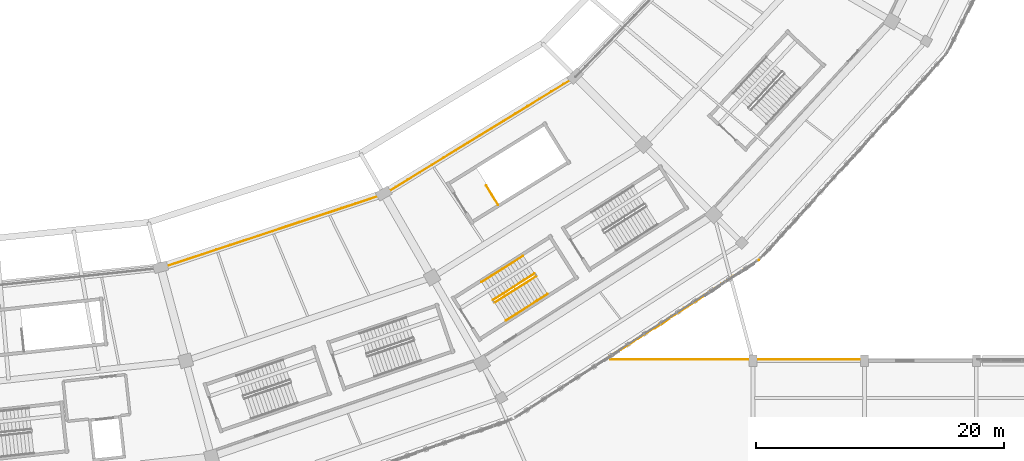
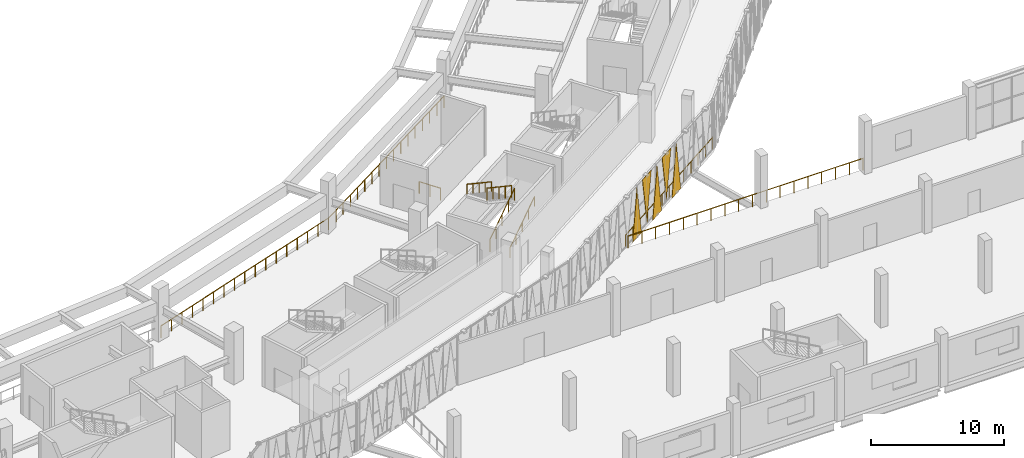
# One storey, part 145 of 179: 9 railings, 5 coverings.
"""IFC4 building model written with IfcOpenShell, lengths in metres."""

from ifc_helpers import new_model, si_unit, direction, frame, origin, origin_2d, place, context, subcontext, project, spatial, polyline, circle, outline, extrude, material, layer, layer_set, type_object, element, save


model = new_model("IFC4")

# Units and contexts
model_context = context("Model", 3, precision=1e-05, world=origin(), true_north=direction((0.0, 1.0)))
body_context = subcontext(model_context, "Body", "Model", "MODEL_VIEW")
ifc_project = project(units=[si_unit("LENGTHUNIT", "METRE"), si_unit("AREAUNIT", "SQUARE_METRE"), si_unit("VOLUMEUNIT", "CUBIC_METRE"), si_unit("PLANEANGLEUNIT", "RADIAN"), si_unit("MASSUNIT", "GRAM", prefix="KILO")], contexts=[model_context])

# Site, building, storey
site_placement = place(None, origin())
site = spatial("IfcSite", under=ifc_project, at=site_placement, CompositionType="ELEMENT")
building_placement = place(site_placement, origin())
building = spatial("IfcBuilding", under=site, at=building_placement, Name="Zevraka Park Crest Stadium", CompositionType="ELEMENT")
storey_placement = place(building_placement, frame((0.0, 0.0, 10.199951171875)))
storey = spatial("IfcBuildingStorey", under=building, at=storey_placement, Name="L02", CompositionType="ELEMENT", Elevation=10.199951171875)

# Coverings
ifc_material_1 = material(Name="Architectural golden-bronze perforated aluminium", Category="aluminium")
ifc_layer = layer(ifc_material_1, 0.034912109375)
ifc_layer_set = layer_set([ifc_layer], Name="Architectural golden-bronze perforated aluminium")
covering_type = type_object("IfcCoveringType", Name="CLD01", PredefinedType="CLADDING", material=ifc_layer_set)
covering_1_placement = place(storey_placement, frame((168.347900390625, 27.845947265625, -0.239990234375), z_axis=(0.543209619056, -0.839597111575, 0.0), x_axis=(0.839597111575, 0.543209619056, 0.0)))
element("IfcCovering", 1, at=covering_1_placement, inside=storey, type_object=covering_type, Name="Triangular Golden-Bronze Perforated Cladding L02-20-7", PredefinedType="CLADDING", context=body_context, shape_type="SweptSolid", body=[
    extrude(outline(polyline([(0.0, 0.0), (1.4579863089976983, 0.0), (0.7289931544988492, 4.56005859375), (0.0, 0.0)])), origin(), (0.0, 0.0, -1.0), 0.034912109375),
])
covering_2_placement = place(storey_placement, frame((170.930908203125, 29.51708984375, 4.47998046875), z_axis=(0.543285997868, -0.839547690294, 1.5567826e-05), x_axis=(-0.839547690396, -0.543285997934, 0.0)))
element("IfcCovering", 2, at=covering_2_placement, inside=storey, type_object=covering_type, Name="Triangular Golden-Bronze Perforated Cladding L02-20-8", PredefinedType="CLADDING", context=body_context, shape_type="SweptSolid", body=[
    extrude(outline(polyline([(0.0, 0.0), (1.457781335266565, 1.6940658945086007e-21), (0.7287881837843572, 4.260009766141223), (0.0, 0.0)])), origin(), (0.0, 0.0, -1.0), 0.034912109375),
])
covering_3_placement = place(storey_placement, frame((171.06494140625, 29.60400390625, -0.239990234375), z_axis=(-0.54290427239, 0.839794586576, 5.813302e-05), x_axis=(0.839794587995, 0.542904273307, 0.0)))
element("IfcCovering", 3, at=covering_3_placement, inside=storey, type_object=covering_type, Name="Triangular Golden-Bronze Perforated Cladding L02-20-9", PredefinedType="CLADDING", context=body_context, shape_type="SweptSolid", body=[
    extrude(outline(polyline([(0.0, 0.0), (1.458806324503112, 0.0), (0.729813218202725, -4.56005860145524), (0.0, 0.0)])), origin(), (0.0, 0.0, -1.0), 0.034912109375),
])
covering_4_placement = place(storey_placement, frame((173.64892578125, 31.27490234375, 4.47998046875), z_axis=(0.542980582644, -0.839745247572, 7.7795373e-05), x_axis=(-0.839745250113, -0.542980584287, 0.0)))
element("IfcCovering", 4, at=covering_4_placement, inside=storey, type_object=covering_type, Name="Triangular Golden-Bronze Perforated Cladding L02-20-10", PredefinedType="CLADDING", context=body_context, shape_type="SweptSolid", body=[
    extrude(outline(polyline([(0.0, 0.0), (1.4586013025497944, -6.776263578034403e-21), (0.7287881114493888, 4.260009778516046), (0.0, 0.0)])), origin(), (0.0, 0.0, -1.0), 0.034912109375),
])
covering_5_placement = place(storey_placement, frame((173.782958984375, 31.362060546875, -0.239990234375), z_axis=(0.54290427239, -0.839794586576, 5.813302e-05), x_axis=(0.839794587995, 0.542904273307, 0.0)))
element("IfcCovering", 5, at=covering_5_placement, inside=storey, type_object=covering_type, Name="Triangular Golden-Bronze Perforated Cladding L02-20-11", PredefinedType="CLADDING", context=body_context, shape_type="SweptSolid", body=[
    extrude(outline(polyline([(0.0, 0.0), (1.458806324503112, 0.0), (0.7289931063003867, 4.56005860145524), (0.0, 0.0)])), origin(), (0.0, 0.0, -1.0), 0.034912109375),
])

# Railings
ifc_material_2 = material(Name="Galvanised and bronze-finished steel balustrade", Category="steel")
railing_type_1 = type_object("IfcRailingType", Name="GR01", PredefinedType="GUARDRAIL", material=ifc_material_2)
railing_1_placement = place(storey_placement, frame((179.48291015625, 35.132080078125, 0.0)))
element("IfcRailing", 6, at=railing_1_placement, inside=storey, type_object=railing_type_1, Name="Deck Edge Protection Guardrail GR01 L02-25", PredefinedType="GUARDRAIL", context=body_context, shape_type="SweptSolid", body=[
    extrude(circle(Radius=0.02392578125, at=origin_2d()), frame((0.0, 0.0, 1.076171875), z_axis=(-0.839645521014, -0.543134789017, 0.0), x_axis=(0.543134789017, -0.839645521014, 0.0)), (0.0, 0.0, 1.0), 14.339111328125),
    extrude(circle(Radius=0.02099609375, at=origin_2d()), origin(), (0.0, 0.0, 1.0), 1.052001953125),
    extrude(circle(Radius=0.02099609375, at=origin_2d()), frame((-1.00341796875, -0.64892578125, 0.0)), (0.0, 0.0, 1.0), 1.052001953125),
    extrude(circle(Radius=0.02099609375, at=origin_2d()), frame((-2.006591796875, -1.298095703125, 0.0)), (0.0, 0.0, 1.0), 1.052001953125),
    extrude(circle(Radius=0.02099609375, at=origin_2d()), frame((-3.010009765625, -1.947021484375, 0.0)), (0.0, 0.0, 1.0), 1.052001953125),
    extrude(circle(Radius=0.02099609375, at=origin_2d()), frame((-4.01318359375, -2.595947265625, 0.0)), (0.0, 0.0, 1.0), 1.052001953125),
    extrude(circle(Radius=0.02099609375, at=origin_2d()), frame((-5.0166015625, -3.2451171875, 0.0)), (0.0, 0.0, 1.0), 1.052001953125),
    extrude(circle(Radius=0.02099609375, at=origin_2d()), frame((-6.02001953125, -3.89404296875, 0.0)), (0.0, 0.0, 1.0), 1.052001953125),
    extrude(circle(Radius=0.02099609375, at=origin_2d()), frame((-7.023193359375, -4.54296875, 0.0)), (0.0, 0.0, 1.0), 1.052001953125),
    extrude(circle(Radius=0.02099609375, at=origin_2d()), frame((-8.026611328125, -5.192138671875, 0.0)), (0.0, 0.0, 1.0), 1.052001953125),
    extrude(circle(Radius=0.02099609375, at=origin_2d()), frame((-9.02978515625, -5.841064453125, 0.0)), (0.0, 0.0, 1.0), 1.052001953125),
    extrude(circle(Radius=0.02099609375, at=origin_2d()), frame((-10.033203125, -6.489990234375, 0.0)), (0.0, 0.0, 1.0), 1.052001953125),
    extrude(circle(Radius=0.02099609375, at=origin_2d()), frame((-11.036376953125, -7.13916015625, 0.0)), (0.0, 0.0, 1.0), 1.052001953125),
    extrude(circle(Radius=0.02099609375, at=origin_2d()), frame((-12.039794921875, -7.7880859375, 0.0)), (0.0, 0.0, 1.0), 1.052001953125),
])
railing_2_placement = place(storey_placement, frame((167.513916015625, 27.10498046875, 0.0)))
element("IfcRailing", 7, at=railing_2_placement, inside=storey, type_object=railing_type_1, Name="Deck Edge Protection Guardrail GR01 L02-26", PredefinedType="GUARDRAIL", context=body_context, shape_type="SweptSolid", body=[
    extrude(circle(Radius=0.02392578125, at=origin_2d()), frame((0.0, 0.0, 1.076171875), z_axis=(1.0, 0.0, 0.0), x_axis=(0.0, 1.0, 0.0)), (0.0, 0.0, 1.0), 20.3701171875),
    extrude(circle(Radius=0.02099609375, at=origin_2d()), origin(), (0.0, 0.0, 1.0), 1.052001953125),
    extrude(circle(Radius=0.02099609375, at=origin_2d()), frame((1.1982421875, 0.0, 0.0)), (0.0, 0.0, 1.0), 1.052001953125),
    extrude(circle(Radius=0.02099609375, at=origin_2d()), frame((2.396484375, 0.0, 0.0)), (0.0, 0.0, 1.0), 1.052001953125),
    extrude(circle(Radius=0.02099609375, at=origin_2d()), frame((3.5947265625, 0.0, 0.0)), (0.0, 0.0, 1.0), 1.052001953125),
    extrude(circle(Radius=0.02099609375, at=origin_2d()), frame((4.79296875, 0.0, 0.0)), (0.0, 0.0, 1.0), 1.052001953125),
    extrude(circle(Radius=0.02099609375, at=origin_2d()), frame((5.9912109375, 0.0, 0.0)), (0.0, 0.0, 1.0), 1.052001953125),
    extrude(circle(Radius=0.02099609375, at=origin_2d()), frame((7.189453125, 0.0, 0.0)), (0.0, 0.0, 1.0), 1.052001953125),
    extrude(circle(Radius=0.02099609375, at=origin_2d()), frame((8.3876953125, 0.0, 0.0)), (0.0, 0.0, 1.0), 1.052001953125),
    extrude(circle(Radius=0.02099609375, at=origin_2d()), frame((9.5859375, 0.0, 0.0)), (0.0, 0.0, 1.0), 1.052001953125),
    extrude(circle(Radius=0.02099609375, at=origin_2d()), frame((10.7841796875, 0.0, 0.0)), (0.0, 0.0, 1.0), 1.052001953125),
    extrude(circle(Radius=0.02099609375, at=origin_2d()), frame((11.982421875, 0.0, 0.0)), (0.0, 0.0, 1.0), 1.052001953125),
    extrude(circle(Radius=0.02099609375, at=origin_2d()), frame((13.1806640625, 0.0, 0.0)), (0.0, 0.0, 1.0), 1.052001953125),
    extrude(circle(Radius=0.02099609375, at=origin_2d()), frame((14.37890625, 0.0, 0.0)), (0.0, 0.0, 1.0), 1.052001953125),
    extrude(circle(Radius=0.02099609375, at=origin_2d()), frame((15.5771484375, 0.0, 0.0)), (0.0, 0.0, 1.0), 1.052001953125),
    extrude(circle(Radius=0.02099609375, at=origin_2d()), frame((16.775390625, 0.0, 0.0)), (0.0, 0.0, 1.0), 1.052001953125),
    extrude(circle(Radius=0.02099609375, at=origin_2d()), frame((17.9736328125, 0.0, 0.0)), (0.0, 0.0, 1.0), 1.052001953125),
    extrude(circle(Radius=0.02099609375, at=origin_2d()), frame((19.171875, 0.0, 0.0)), (0.0, 0.0, 1.0), 1.052001953125),
    extrude(circle(Radius=0.02099609375, at=origin_2d()), frame((20.3701171875, 0.0, 0.0)), (0.0, 0.0, 1.0), 1.052001953125),
])
railing_3_placement = place(storey_placement, frame((131.29296875, 34.4580078125, 0.0)))
element("IfcRailing", 8, at=railing_3_placement, inside=storey, type_object=railing_type_1, Name="Deck Edge Protection Guardrail GR01 L02-58", PredefinedType="GUARDRAIL", context=body_context, shape_type="SweptSolid", body=[
    extrude(circle(Radius=0.02392578125, at=origin_2d()), frame((0.0, 0.0, 1.076171875), z_axis=(0.949418449388, 0.314013706645, 0.0), x_axis=(-0.314013706645, 0.949418449388, 0.0)), (0.0, 0.0, 1.0), 18.929443359375),
    extrude(circle(Radius=0.02099609375, at=origin_2d()), origin(), (0.0, 0.0, 1.0), 1.052001953125),
    extrude(circle(Radius=0.02099609375, at=origin_2d()), frame((1.123291015625, 0.37158203125, 0.0)), (0.0, 0.0, 1.0), 1.052001953125),
    extrude(circle(Radius=0.02099609375, at=origin_2d()), frame((2.24658203125, 0.742919921875, 0.0)), (0.0, 0.0, 1.0), 1.052001953125),
    extrude(circle(Radius=0.02099609375, at=origin_2d()), frame((3.36962890625, 1.114501953125, 0.0)), (0.0, 0.0, 1.0), 1.052001953125),
    extrude(circle(Radius=0.02099609375, at=origin_2d()), frame((4.492919921875, 1.486083984375, 0.0)), (0.0, 0.0, 1.0), 1.052001953125),
    extrude(circle(Radius=0.02099609375, at=origin_2d()), frame((5.6162109375, 1.857421875, 0.0)), (0.0, 0.0, 1.0), 1.052001953125),
    extrude(circle(Radius=0.02099609375, at=origin_2d()), frame((6.739501953125, 2.22900390625, 0.0)), (0.0, 0.0, 1.0), 1.052001953125),
    extrude(circle(Radius=0.02099609375, at=origin_2d()), frame((7.86279296875, 2.6005859375, 0.0)), (0.0, 0.0, 1.0), 1.052001953125),
    extrude(circle(Radius=0.02099609375, at=origin_2d()), frame((8.98583984375, 2.97216796875, 0.0)), (0.0, 0.0, 1.0), 1.052001953125),
    extrude(circle(Radius=0.02099609375, at=origin_2d()), frame((10.109130859375, 3.343505859375, 0.0)), (0.0, 0.0, 1.0), 1.052001953125),
    extrude(circle(Radius=0.02099609375, at=origin_2d()), frame((11.232421875, 3.715087890625, 0.0)), (0.0, 0.0, 1.0), 1.052001953125),
    extrude(circle(Radius=0.02099609375, at=origin_2d()), frame((12.355712890625, 4.086669921875, 0.0)), (0.0, 0.0, 1.0), 1.052001953125),
    extrude(circle(Radius=0.02099609375, at=origin_2d()), frame((13.47900390625, 4.4580078125, 0.0)), (0.0, 0.0, 1.0), 1.052001953125),
    extrude(circle(Radius=0.02099609375, at=origin_2d()), frame((14.602294921875, 4.82958984375, 0.0)), (0.0, 0.0, 1.0), 1.052001953125),
    extrude(circle(Radius=0.02099609375, at=origin_2d()), frame((15.725341796875, 5.201171875, 0.0)), (0.0, 0.0, 1.0), 1.052001953125),
    extrude(circle(Radius=0.02099609375, at=origin_2d()), frame((16.8486328125, 5.572509765625, 0.0)), (0.0, 0.0, 1.0), 1.052001953125),
    extrude(circle(Radius=0.02099609375, at=origin_2d()), frame((17.971923828125, 5.944091796875, 0.0)), (0.0, 0.0, 1.0), 1.052001953125),
])
railing_4_placement = place(storey_placement, frame((149.264892578125, 40.402099609375, 0.0)))
element("IfcRailing", 9, at=railing_4_placement, inside=storey, type_object=railing_type_1, Name="Deck Edge Protection Guardrail GR01 L02-59", PredefinedType="GUARDRAIL", context=body_context, shape_type="SweptSolid", body=[
    extrude(circle(Radius=0.02392578125, at=origin_2d()), frame((0.0, 0.0, 1.076171875), z_axis=(0.852701317634, 0.522398758521, 0.0), x_axis=(-0.522398758521, 0.852701317634, 0.0)), (0.0, 0.0, 1.0), 18.1259765625),
    extrude(circle(Radius=0.02099609375, at=origin_2d()), origin(), (0.0, 0.0, 1.0), 1.052001953125),
    extrude(circle(Radius=0.02099609375, at=origin_2d()), frame((0.966064453125, 0.591796875, 0.0)), (0.0, 0.0, 1.0), 1.052001953125),
    extrude(circle(Radius=0.02099609375, at=origin_2d()), frame((1.93212890625, 1.18359375, 0.0)), (0.0, 0.0, 1.0), 1.052001953125),
    extrude(circle(Radius=0.02099609375, at=origin_2d()), frame((2.89794921875, 1.775390625, 0.0)), (0.0, 0.0, 1.0), 1.052001953125),
    extrude(circle(Radius=0.02099609375, at=origin_2d()), frame((3.864013671875, 2.3671875, 0.0)), (0.0, 0.0, 1.0), 1.052001953125),
    extrude(circle(Radius=0.02099609375, at=origin_2d()), frame((4.830078125, 2.958984375, 0.0)), (0.0, 0.0, 1.0), 1.052001953125),
    extrude(circle(Radius=0.02099609375, at=origin_2d()), frame((5.7958984375, 3.55078125, 0.0)), (0.0, 0.0, 1.0), 1.052001953125),
    extrude(circle(Radius=0.02099609375, at=origin_2d()), frame((6.761962890625, 4.142578125, 0.0)), (0.0, 0.0, 1.0), 1.052001953125),
    extrude(circle(Radius=0.02099609375, at=origin_2d()), frame((7.72802734375, 4.734375, 0.0)), (0.0, 0.0, 1.0), 1.052001953125),
    extrude(circle(Radius=0.02099609375, at=origin_2d()), frame((8.694091796875, 5.326416015625, 0.0)), (0.0, 0.0, 1.0), 1.052001953125),
    extrude(circle(Radius=0.02099609375, at=origin_2d()), frame((9.66015625, 5.918212890625, 0.0)), (0.0, 0.0, 1.0), 1.052001953125),
    extrude(circle(Radius=0.02099609375, at=origin_2d()), frame((10.6259765625, 6.510009765625, 0.0)), (0.0, 0.0, 1.0), 1.052001953125),
    extrude(circle(Radius=0.02099609375, at=origin_2d()), frame((11.592041015625, 7.101806640625, 0.0)), (0.0, 0.0, 1.0), 1.052001953125),
    extrude(circle(Radius=0.02099609375, at=origin_2d()), frame((12.55810546875, 7.693603515625, 0.0)), (0.0, 0.0, 1.0), 1.052001953125),
    extrude(circle(Radius=0.02099609375, at=origin_2d()), frame((13.52392578125, 8.285400390625, 0.0)), (0.0, 0.0, 1.0), 1.052001953125),
    extrude(circle(Radius=0.02099609375, at=origin_2d()), frame((14.489990234375, 8.877197265625, 0.0)), (0.0, 0.0, 1.0), 1.052001953125),
    extrude(circle(Radius=0.02099609375, at=origin_2d()), frame((15.4560546875, 9.468994140625, 0.0)), (0.0, 0.0, 1.0), 1.052001953125),
])
ifc_material_3 = material(Name="Powder-coated tubular steel stairwell guard", Category="steel")
railing_type_2 = type_object("IfcRailingType", Name="GR03", PredefinedType="GUARDRAIL", material=ifc_material_3)
railing_5_placement = place(storey_placement, frame((158.194580078125, 31.675048828125, 0.17138671875)))
element("IfcRailing", 10, at=railing_5_placement, inside=storey, type_object=railing_type_2, Name="L02 ST21 stair guard 1", PredefinedType="GUARDRAIL", context=body_context, shape_type="SweptSolid", body=[
    extrude(circle(Radius=0.02392578125, at=origin_2d()), frame((0.0, 0.0, 1.076171875), z_axis=(0.7360728576, 0.466989999352, 0.490017437251), x_axis=(-0.535715535947, 0.844398522349, 0.0)), (0.0, 0.0, 1.0), 4.54833984375),
    extrude(circle(Radius=0.02099609375, at=origin_2d()), origin(), (0.0, 0.0, 1.0), 1.052001953125),
    extrude(circle(Radius=0.02099609375, at=origin_2d()), frame((0.8369140625, 0.531005859375, 0.55712890625)), (0.0, 0.0, 1.0), 1.052001953125),
    extrude(circle(Radius=0.02099609375, at=origin_2d()), frame((1.673828125, 1.06201171875, 1.1142578125)), (0.0, 0.0, 1.0), 1.052001953125),
    extrude(circle(Radius=0.02099609375, at=origin_2d()), frame((2.510986328125, 1.593017578125, 1.671630859375)), (0.0, 0.0, 1.0), 1.052001953125),
    extrude(circle(Radius=0.02099609375, at=origin_2d()), frame((3.347900390625, 2.1240234375, 2.228759765625)), (0.0, 0.0, 1.0), 1.052001953125),
])
railing_6_placement = place(storey_placement, frame((161.4033203125, 34.0185546875, 2.571533203125)))
element("IfcRailing", 11, at=railing_6_placement, inside=storey, type_object=railing_type_2, Name="L02 ST21 stair guard 3", PredefinedType="GUARDRAIL", context=body_context, shape_type="SweptSolid", body=[
    extrude(circle(Radius=0.02392578125, at=origin_2d()), frame((0.0, 0.0, 1.076171875), z_axis=(-0.736116810277, -0.466983830349, 0.48995728775), x_axis=(0.535687682518, -0.84441619288, 0.0)), (0.0, 0.0, 1.0), 4.54833984375),
    extrude(circle(Radius=0.02099609375, at=origin_2d()), origin(), (0.0, 0.0, 1.0), 1.052001953125),
    extrude(circle(Radius=0.02099609375, at=origin_2d()), frame((-0.8369140625, -0.531005859375, 0.55712890625)), (0.0, 0.0, 1.0), 1.052001953125),
    extrude(circle(Radius=0.02099609375, at=origin_2d()), frame((-1.674072265625, -1.06201171875, 1.1142578125)), (0.0, 0.0, 1.0), 1.052001953125),
    extrude(circle(Radius=0.02099609375, at=origin_2d()), frame((-2.51123046875, -1.593017578125, 1.67138671875)), (0.0, 0.0, 1.0), 1.052001953125),
    extrude(circle(Radius=0.02099609375, at=origin_2d()), frame((-3.34814453125, -2.1240234375, 2.228515625)), (0.0, 0.0, 1.0), 1.052001953125),
])
railing_7_placement = place(storey_placement, frame((158.46728515625, 39.56640625, 0.0)))
element("IfcRailing", 12, at=railing_7_placement, inside=storey, type_object=railing_type_2, Name="L02 ST43 top well guard 1", PredefinedType="GUARDRAIL", context=body_context, shape_type="SweptSolid", body=[
    extrude(circle(Radius=0.02392578125, at=origin_2d()), frame((0.0, 0.0, 1.076171875), z_axis=(-0.527231915406, 0.84972142928, 0.0), x_axis=(-0.84972142928, -0.527231915406, 0.0)), (0.0, 0.0, 1.0), 1.81005859375),
    extrude(circle(Radius=0.02099609375, at=origin_2d()), origin(), (0.0, 0.0, 1.0), 1.052001953125),
    extrude(circle(Radius=0.02099609375, at=origin_2d()), frame((-0.47705078125, 0.76904296875, 0.0)), (0.0, 0.0, 1.0), 1.052001953125),
    extrude(circle(Radius=0.02099609375, at=origin_2d()), frame((-0.954345703125, 1.5380859375, 0.0)), (0.0, 0.0, 1.0), 1.052001953125),
])
ifc_material_4 = material(Name="Brushed stainless steel continuous handrail", Category="steel")
railing_type_3 = type_object("IfcRailingType", Name="HR01", PredefinedType="HANDRAIL", material=ifc_material_4)
railing_8_placement = place(storey_placement, frame((159.105224609375, 30.239501953125, 0.17138671875)))
element("IfcRailing", 13, at=railing_8_placement, inside=storey, type_object=railing_type_3, Name="L02 ST21 stair handrail 1", PredefinedType="HANDRAIL", context=body_context, shape_type="SweptSolid", body=[
    extrude(circle(Radius=0.02392578125, at=origin_2d()), frame((0.0, 0.0, 0.8759765625), z_axis=(0.7360728576, 0.466989999352, 0.490017437251), x_axis=(-0.535715535947, 0.844398522349, 0.0)), (0.0, 0.0, 1.0), 4.54833984375),
    extrude(circle(Radius=0.02099609375, at=origin_2d()), origin(), (0.0, 0.0, 1.0), 0.851806640625),
    extrude(circle(Radius=0.02099609375, at=origin_2d()), frame((0.8369140625, 0.531005859375, 0.55712890625)), (0.0, 0.0, 1.0), 0.851806640625),
    extrude(circle(Radius=0.02099609375, at=origin_2d()), frame((1.673828125, 1.06201171875, 1.1142578125)), (0.0, 0.0, 1.0), 0.851806640625),
    extrude(circle(Radius=0.02099609375, at=origin_2d()), frame((2.510986328125, 1.593017578125, 1.671630859375)), (0.0, 0.0, 1.0), 0.851806640625),
    extrude(circle(Radius=0.02099609375, at=origin_2d()), frame((3.347900390625, 2.1240234375, 2.228759765625)), (0.0, 0.0, 1.0), 0.851806640625),
])
railing_9_placement = place(storey_placement, frame((160.492431640625, 35.4541015625, 2.571533203125)))
element("IfcRailing", 14, at=railing_9_placement, inside=storey, type_object=railing_type_3, Name="L02 ST21 stair handrail 2", PredefinedType="HANDRAIL", context=body_context, shape_type="SweptSolid", body=[
    extrude(circle(Radius=0.02392578125, at=origin_2d()), frame((0.0, 0.0, 0.8759765625), z_axis=(-0.736092217986, -0.467002282249, 0.489976647398), x_axis=(0.535715535947, -0.844398522349, 0.0)), (0.0, 0.0, 1.0), 4.548095703125),
    extrude(circle(Radius=0.02099609375, at=origin_2d()), origin(), (0.0, 0.0, 1.0), 0.851806640625),
    extrude(circle(Radius=0.02099609375, at=origin_2d()), frame((-0.8369140625, -0.531005859375, 0.55712890625)), (0.0, 0.0, 1.0), 0.851806640625),
    extrude(circle(Radius=0.02099609375, at=origin_2d()), frame((-1.673828125, -1.06201171875, 1.1142578125)), (0.0, 0.0, 1.0), 0.851806640625),
    extrude(circle(Radius=0.02099609375, at=origin_2d()), frame((-2.510986328125, -1.593017578125, 1.67138671875)), (0.0, 0.0, 1.0), 0.851806640625),
    extrude(circle(Radius=0.02099609375, at=origin_2d()), frame((-3.347900390625, -2.1240234375, 2.228515625)), (0.0, 0.0, 1.0), 0.851806640625),
])

save(model, "model.ifc")
